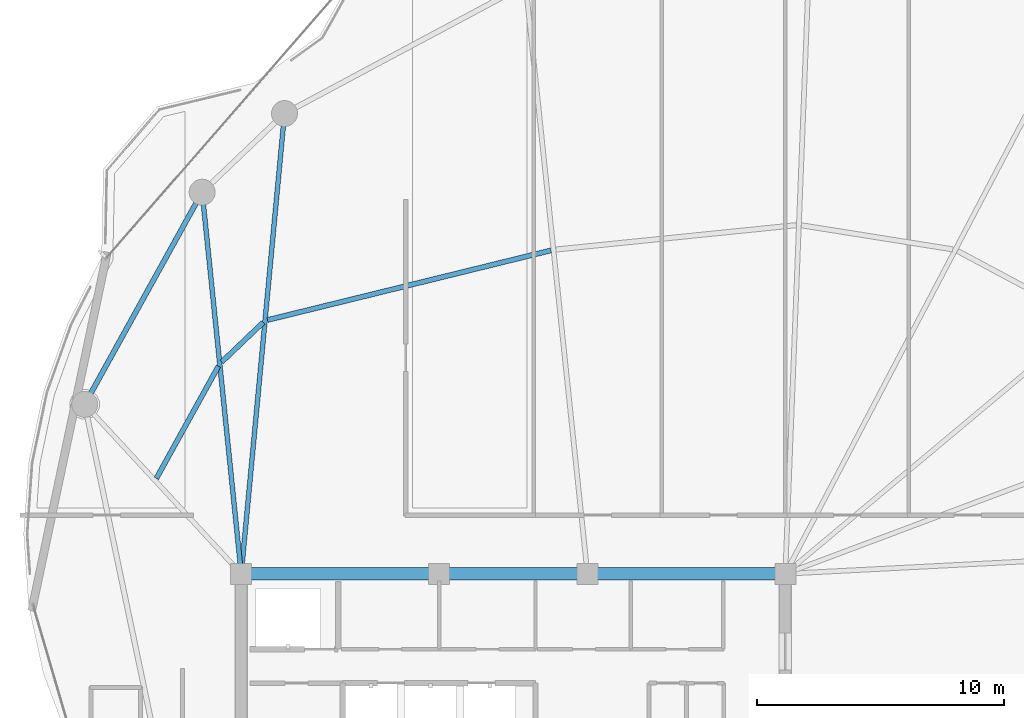
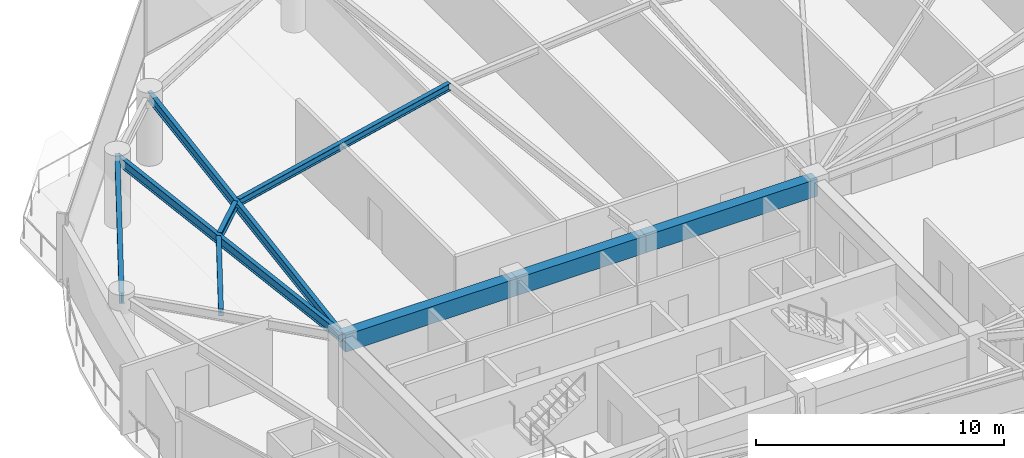
# One storey, part 8 of 28: 9 beams.
"""IFC4 building model written with IfcOpenShell, lengths in metres."""

import ifcopenshell
import ifcopenshell.guid

model = None  # the IFC model being written
_history = None  # IfcOwnerHistory: only IFC2X3 demands one
_inside = {}  # id of a spatial element -> (the spatial element, [elements in it])
_under = {}  # id of a project, library or spatial element -> (it, [spatial elements below it])
_declared = {}  # id of a project -> (the project, [libraries it declares])
_typed = {}  # id of a type object -> (the type object, [elements of that type])
_made_of = {}  # id of a material, layer set ... -> (it, [elements and type objects made of it])


def new_model(schema):
    """Start an empty IFC model of exactly this schema.

    Asked for "IFC4X3", IfcOpenShell would pick the latest addendum, in which some entities
    have other attributes; the version numbers below select the first issue.
    IFC2X3 requires an IfcOwnerHistory on every rooted entity: one is made here for all.
    """
    global model, _history
    if schema == "IFC4X3":
        model = ifcopenshell.file(schema_version=(4, 3, 0, 0))
    else:
        model = ifcopenshell.file(schema=schema)
    _inside.clear()
    _under.clear()
    _declared.clear()
    _typed.clear()
    _made_of.clear()
    _history = None
    if model.schema == "IFC2X3":
        org = make("IfcOrganization", Name="unknown")
        user = make(
            "IfcPersonAndOrganization",
            ThePerson=make("IfcPerson", FamilyName="unknown"),
            TheOrganization=org,
        )
        app = make(
            "IfcApplication",
            ApplicationDeveloper=org,
            Version="unknown",
            ApplicationFullName="unknown",
            ApplicationIdentifier="unknown",
        )
        _history = make(
            "IfcOwnerHistory",
            OwningUser=user,
            OwningApplication=app,
            ChangeAction="ADDED",
            CreationDate=0,
        )
    return model


def make(cls, **values):
    """One entity of the class cls with the attributes given. An attribute that is None is left unset."""
    return model.create_entity(
        cls, **{name: value for name, value in values.items() if value is not None}
    )


def rooted(cls, **values):
    """An entity with a GlobalId (a new one), such as an element, a storey or a relation."""
    return make(cls, GlobalId=ifcopenshell.guid.new(), OwnerHistory=_history, **values)


def si_unit(unit_type, name, prefix=None):
    """IfcSIUnit, for example si_unit("LENGTHUNIT", "METRE", prefix="MILLI")."""
    return make("IfcSIUnit", UnitType=unit_type, Prefix=prefix, Name=name)


def assignment(units):
    """IfcUnitAssignment: the units of a project."""
    return None if units is None else make("IfcUnitAssignment", Units=units)


def point(xyz):
    """IfcCartesianPoint."""
    return None if xyz is None else make("IfcCartesianPoint", Coordinates=xyz)


def direction(xyz):
    """IfcDirection."""
    return None if xyz is None else make("IfcDirection", DirectionRatios=xyz)


def frame(location, z_axis=None, x_axis=None):
    """IfcAxis2Placement3D, a coordinate frame: its origin and axes. An axis left out is left unset."""
    return make(
        "IfcAxis2Placement3D",
        Location=point(location),
        Axis=direction(z_axis),
        RefDirection=direction(x_axis),
    )


def frame_2d(location, x_axis=None):
    """IfcAxis2Placement2D, a coordinate frame in the plane: its origin and x axis."""
    return make(
        "IfcAxis2Placement2D", Location=point(location), RefDirection=direction(x_axis)
    )


def origin():
    """The frame at (0, 0, 0) with its axes left unset."""
    return frame((0.0, 0.0, 0.0))


def origin_2d():
    """The frame at (0, 0) in the plane with its x axis left unset."""
    return frame_2d((0.0, 0.0))


def place(relative_to, where):
    """IfcLocalPlacement: puts the frame where relative to a parent placement (None: the world)."""
    return make(
        "IfcLocalPlacement", PlacementRelTo=relative_to, RelativePlacement=where
    )


def context(
    kind, dimensions, precision=None, world=None, true_north=None, identifier=None
):
    """IfcGeometricRepresentationContext, for example the 3D "Model" context."""
    return make(
        "IfcGeometricRepresentationContext",
        ContextIdentifier=identifier,
        ContextType=kind,
        CoordinateSpaceDimension=dimensions,
        Precision=precision,
        WorldCoordinateSystem=world,
        TrueNorth=true_north,
    )


def subcontext(parent, identifier, kind, view, scale=None):
    """IfcGeometricRepresentationSubContext, for example "Body" below "Model"."""
    return make(
        "IfcGeometricRepresentationSubContext",
        ContextIdentifier=identifier,
        ContextType=kind,
        ParentContext=parent,
        TargetScale=scale,
        TargetView=view,
    )


def project(units=None, contexts=None):
    """IfcProject with its units and contexts."""
    return rooted(
        "IfcProject",
        Name="project",
        RepresentationContexts=contexts,
        UnitsInContext=assignment(units),
    )


def spatial(cls, under=None, at=None, **own):
    """A site, building, storey or space (cls), placed at a placement, below another one or the project."""
    s = rooted(cls, ObjectPlacement=at, **own)
    if under is not None:
        _under.setdefault(under.id(), (under, []))[1].append(s)
    return s


def profile(cls, at=None, kind="AREA", **sizes):
    """A parametric profile (cls). Its sizes go by their IFC names, for example OverallWidth=200.0."""
    return make(cls, ProfileType=kind, Position=at, **sizes)


def rectangle(**sizes):
    """IfcRectangleProfileDef."""
    return profile("IfcRectangleProfileDef", **sizes)


def i_section(**sizes):
    """IfcIShapeProfileDef."""
    return profile("IfcIShapeProfileDef", **sizes)


def extrude(swept, where, along, depth):
    """IfcExtrudedAreaSolid: the profile swept, set in the frame where, extruded along a direction by depth."""
    return make(
        "IfcExtrudedAreaSolid",
        SweptArea=swept,
        Position=where,
        ExtrudedDirection=direction(along),
        Depth=depth,
    )


def shape(context_of_items, identifier, shape_type, items):
    """IfcShapeRepresentation: the items that make up one representation, for example the "Body"."""
    return make(
        "IfcShapeRepresentation",
        ContextOfItems=context_of_items,
        RepresentationIdentifier=identifier,
        RepresentationType=shape_type,
        Items=items,
    )


def material(Name=None, Category=None):
    """IfcMaterial."""
    return make("IfcMaterial", Name=Name, Category=Category)


def material_profile(
    of_material, cross_section, Name=None, Category=None, Priority=None
):
    """IfcMaterialProfile: a cross section and its material."""
    return make(
        "IfcMaterialProfile",
        Name=Name,
        Material=of_material,
        Profile=cross_section,
        Priority=Priority,
        Category=Category,
    )


def profile_set(profiles, Name=None, composite=None):
    """IfcMaterialProfileSet."""
    return make(
        "IfcMaterialProfileSet",
        Name=Name,
        MaterialProfiles=profiles,
        CompositeProfile=composite,
    )


def made_of(thing, what):
    """Note that an element or type object is made of a material, layer set ...; save() writes the relation."""
    if what is not None:
        _made_of.setdefault(what.id(), (what, []))[1].append(thing)
    return thing


def type_object(cls, material=None, **own):
    """A type object (cls), such as IfcWallType, which elements share."""
    return made_of(rooted(cls, **own), material)


def element(
    cls,
    number,
    at=None,
    inside=None,
    cuts=None,
    type_object=None,
    material=None,
    context=None,
    identifier="Body",
    shape_type=None,
    held_by="IfcProductDefinitionShape",
    body=None,
    shapes=None,
    **own,
):
    """One element of the class cls, such as IfcWall. Its Tag is "e" and its number.

    at: its placement. inside: the storey or other place that contains it. cuts: it is an
    opening in that element (IfcRelVoidsElement). A single representation is given by context,
    identifier, shape_type and body (its items); several are given by shapes. held_by: the class
    of the entity that holds the representations. save() writes the other relations.
    """
    e = rooted(cls, Tag="e%d" % number, ObjectPlacement=at, **own)
    if body is not None:
        shapes = [shape(context, identifier, shape_type, body)]
    if shapes is not None:
        e.Representation = make(held_by, Representations=shapes)
    if inside is not None:
        _inside.setdefault(inside.id(), (inside, []))[1].append(e)
    if cuts is not None:
        rooted(
            "IfcRelVoidsElement", RelatingBuildingElement=cuts, RelatedOpeningElement=e
        )
    if type_object is not None:
        _typed.setdefault(type_object.id(), (type_object, []))[1].append(e)
    return made_of(e, material)


def aggregate(whole, parts):
    """IfcRelAggregates: a whole, such as a stair, and the parts it consists of."""
    return rooted("IfcRelAggregates", RelatingObject=whole, RelatedObjects=parts)


def save(model, path):
    """Write the relations noted so far, then the file.

    IfcRelAggregates (storeys below a building ...), IfcRelContainedInSpatialStructure (elements
    in a storey), IfcRelDefinesByType, IfcRelAssociatesMaterial and IfcRelDeclares: one each for
    every whole, place, type object, material and project.
    """
    for whole, parts in _under.values():
        aggregate(whole, parts)
    for where, things in _inside.values():
        rooted(
            "IfcRelContainedInSpatialStructure",
            RelatedElements=things,
            RelatingStructure=where,
        )
    for kind, things in _typed.values():
        rooted("IfcRelDefinesByType", RelatedObjects=things, RelatingType=kind)
    for what, things in _made_of.values():
        rooted("IfcRelAssociatesMaterial", RelatedObjects=things, RelatingMaterial=what)
    for by, libraries in _declared.values():
        rooted("IfcRelDeclares", RelatingContext=by, RelatedDefinitions=libraries)
    model.write(path)


model = new_model("IFC4")

# Units and contexts
model_context = context("Model", 3, precision=1e-05, world=origin(), true_north=direction((0.0, 1.0)))
body_context = subcontext(model_context, "Body", "Model", "MODEL_VIEW")
ifc_project = project(units=[si_unit("LENGTHUNIT", "METRE"), si_unit("AREAUNIT", "SQUARE_METRE"), si_unit("VOLUMEUNIT", "CUBIC_METRE"), si_unit("PLANEANGLEUNIT", "RADIAN"), si_unit("MASSUNIT", "GRAM", prefix="KILO")], contexts=[model_context])

# Site, building, storey
site_placement = place(None, origin())
site = spatial("IfcSite", under=ifc_project, at=site_placement, CompositionType="ELEMENT")
building_placement = place(site_placement, origin())
building = spatial("IfcBuilding", under=site, at=building_placement, Name="Kazevale Care Tower and Concert Hall", CompositionType="ELEMENT")
storey_placement = place(building_placement, frame((0.0, 0.0, 231.60009765625)))
storey = spatial("IfcBuildingStorey", under=building, at=storey_placement, Name="L61", CompositionType="ELEMENT", Elevation=231.60009765625)

# Beams
ifc_material_1 = material(Name="Concrete C60", Category="concrete")
ifc_material_profile_1 = material_profile(ifc_material_1, rectangle(XDim=0.5, YDim=0.85009765625, at=origin_2d()), Name="RC-B500x850")
ifc_profile_set_1 = profile_set([ifc_material_profile_1], Name="Concrete C60")
beam_type_1 = type_object("IfcBeamType", Name="Core Coupling Beam RC500x850", PredefinedType="LINTEL", material=ifc_profile_set_1)
beam_1_placement = place(storey_placement, frame((44.0, 36.39990234375, 2.934814453125), z_axis=(-1.0, 0.0, 0.0), x_axis=(0.0, -1.0, 0.0)))
element("IfcBeam", 1, at=beam_1_placement, inside=storey, type_object=beam_type_1, Name="beam:L61:coretie:5", PredefinedType="LINTEL", context=body_context, shape_type="SweptSolid", body=[
    extrude(rectangle(XDim=0.5, YDim=0.85009765625, at=origin_2d()), origin(), (0.0, 0.0, 1.0), 8.0),
])
beam_2_placement = place(storey_placement, frame((36.0, 36.39990234375, 2.934814453125), z_axis=(-1.0, 0.0, 0.0), x_axis=(0.0, -1.0, 0.0)))
element("IfcBeam", 2, at=beam_2_placement, inside=storey, type_object=beam_type_1, Name="beam:L61:coretie:6", PredefinedType="LINTEL", context=body_context, shape_type="SweptSolid", body=[
    extrude(rectangle(XDim=0.5, YDim=0.85009765625, at=origin_2d()), origin(), (0.0, 0.0, 1.0), 6.0),
])
beam_3_placement = place(storey_placement, frame((30.0, 36.39990234375, 2.934814453125), z_axis=(-1.0, 0.0, 0.0), x_axis=(0.0, -1.0, 0.0)))
element("IfcBeam", 3, at=beam_3_placement, inside=storey, type_object=beam_type_1, Name="beam:L61:coretie:7", PredefinedType="LINTEL", context=body_context, shape_type="SweptSolid", body=[
    extrude(rectangle(XDim=0.5, YDim=0.85009765625, at=origin_2d()), origin(), (0.0, 0.0, 1.0), 8.0),
])
ifc_material_2 = material(Name="Steel ASTM A572 Gr 50", Category="steel")
ifc_material_profile_2 = material_profile(ifc_material_2, i_section(OverallWidth=0.19091796875, OverallDepth=0.4599609375, WebThickness=0.010009765625, FlangeThickness=0.01611328125, at=origin_2d()), Name="W460x82")
ifc_profile_set_2 = profile_set([ifc_material_profile_2], Name="Steel ASTM A572 Gr 50")
beam_type_2 = type_object("IfcBeamType", Name="Radial Floor Beam W460x82", PredefinedType="BEAM", material=ifc_profile_set_2)
beam_4_placement = place(storey_placement, frame((22.0, 36.39990234375, 3.1298828125), z_axis=(0.093621904075, 0.995607823933, 0.0), x_axis=(-0.995607823933, 0.093621904075, 0.0)))
element("IfcBeam", 4, at=beam_4_placement, inside=storey, type_object=beam_type_2, Name="beam:L61:rad:07", PredefinedType="BEAM", context=body_context, shape_type="SweptSolid", body=[
    extrude(i_section(OverallWidth=0.19091796875, OverallDepth=0.4599609375, WebThickness=0.010009765625, FlangeThickness=0.01611328125, at=origin_2d()), origin(), (0.0, 0.0, 1.0), 18.692138671875),
])
beam_5_placement = place(storey_placement, frame((22.0, 36.39990234375, 3.1298828125), z_axis=(-0.101869109083, 0.994797810922, 0.0), x_axis=(-0.994797810922, -0.101869109083, 0.0)))
element("IfcBeam", 5, at=beam_5_placement, inside=storey, type_object=beam_type_2, Name="beam:L61:rad:08", PredefinedType="BEAM", context=body_context, shape_type="SweptSolid", body=[
    extrude(i_section(OverallWidth=0.19091796875, OverallDepth=0.4599609375, WebThickness=0.010009765625, FlangeThickness=0.01611328125, at=origin_2d()), origin(), (0.0, 0.0, 1.0), 15.510986328125),
])
ifc_material_profile_3 = material_profile(ifc_material_2, i_section(OverallWidth=0.205078125, OverallDepth=0.35400390625, WebThickness=0.009521484375, FlangeThickness=0.016845703125, at=origin_2d()), Name="W360x79")
ifc_profile_set_3 = profile_set([ifc_material_profile_3], Name="Steel ASTM A572 Gr 50")
beam_type_3 = type_object("IfcBeamType", Name="Secondary Floor Joist W360x79", PredefinedType="JOIST", material=ifc_profile_set_3)
beam_6_placement = place(storey_placement, frame((34.52294921875, 49.47607421875, 3.182861328125), z_axis=(-0.971122715177, -0.238580535809, 0.0), x_axis=(0.238580535809, -0.971122715177, 0.0)))
element("IfcBeam", 6, at=beam_6_placement, inside=storey, type_object=beam_type_3, Name="beam:L61:joist:06", PredefinedType="JOIST", context=body_context, shape_type="SweptSolid", body=[
    extrude(i_section(OverallWidth=0.205078125, OverallDepth=0.35400390625, WebThickness=0.009521484375, FlangeThickness=0.016845703125, at=origin_2d()), origin(), (0.0, 0.0, 1.0), 11.7998046875),
])
beam_7_placement = place(storey_placement, frame((22.886962890625, 46.56298828125, 3.182861328125), z_axis=(-0.723262472539, -0.690573237114, 0.0), x_axis=(0.690573237114, -0.723262472539, 0.0)))
element("IfcBeam", 7, at=beam_7_placement, inside=storey, type_object=beam_type_3, Name="beam:L61:joist:07", PredefinedType="JOIST", context=body_context, shape_type="SweptSolid", body=[
    extrude(i_section(OverallWidth=0.205078125, OverallDepth=0.35400390625, WebThickness=0.009521484375, FlangeThickness=0.016845703125, at=origin_2d()), origin(), (0.0, 0.0, 1.0), 2.32275390625),
])
beam_8_placement = place(storey_placement, frame((21.080078125, 44.794921875, 3.182861328125), z_axis=(-0.484322963201, -0.874889288605, 0.0), x_axis=(0.874889288605, -0.484322963201, 0.0)))
element("IfcBeam", 8, at=beam_8_placement, inside=storey, type_object=beam_type_3, Name="beam:L61:joist:08", PredefinedType="JOIST", context=body_context, shape_type="SweptSolid", body=[
    extrude(i_section(OverallWidth=0.205078125, OverallDepth=0.35400390625, WebThickness=0.009521484375, FlangeThickness=0.016845703125, at=origin_2d()), origin(), (0.0, 0.0, 1.0), 5.1845703125),
])
ifc_material_profile_4 = material_profile(ifc_material_2, i_section(OverallWidth=0.208984375, OverallDepth=0.532958984375, WebThickness=0.01025390625, FlangeThickness=0.015625, at=origin_2d()), Name="W530x92")
ifc_profile_set_4 = profile_set([ifc_material_profile_4], Name="Steel ASTM A572 Gr 50")
beam_type_4 = type_object("IfcBeamType", Name="Upper Ring Beam W530x92", PredefinedType="BEAM", material=ifc_profile_set_4)
beam_9_placement = place(storey_placement, frame((20.419921875, 51.830078125, 3.093505859375), z_axis=(-0.484340382014, -0.874879645637, 0.0), x_axis=(0.874879645637, -0.484340382014, 0.0)))
element("IfcBeam", 9, at=beam_9_placement, inside=storey, type_object=beam_type_4, Name="beam:L61:ring:08", PredefinedType="BEAM", context=body_context, shape_type="SweptSolid", body=[
    extrude(i_section(OverallWidth=0.208984375, OverallDepth=0.532958984375, WebThickness=0.01025390625, FlangeThickness=0.015625, at=origin_2d()), origin(), (0.0, 0.0, 1.0), 9.80712890625),
])

save(model, "model.ifc")
